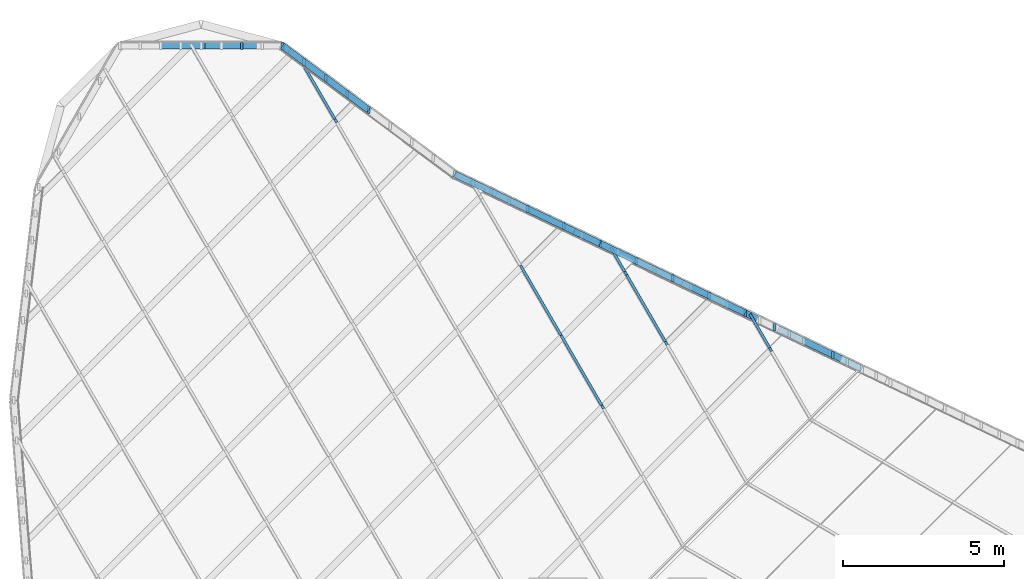
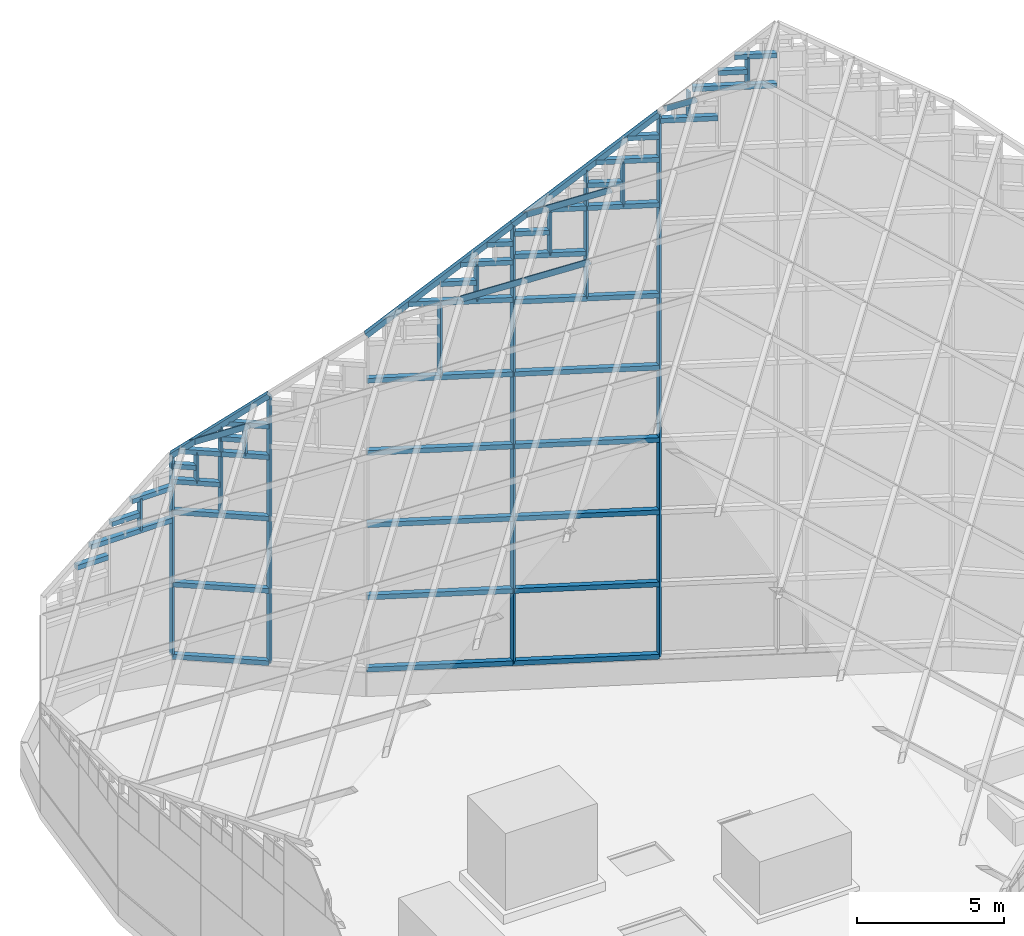
# One storey, part 9 of 29: 63 members, 1 element without a shape of its own.
"""IFC4 building model written with IfcOpenShell, lengths in metres."""

from ifc_helpers import new_model, si_unit, direction, frame, origin, origin_2d, place, context, subcontext, project, spatial, rectangle, extrude, material, material_profile, profile_set, type_object, element, aggregate, save


model = new_model("IFC4")

# Units and contexts
model_context = context("Model", 3, precision=1e-05, world=origin(), true_north=direction((0.0, 1.0)))
body_context = subcontext(model_context, "Body", "Model", "MODEL_VIEW")
ifc_project = project(units=[si_unit("LENGTHUNIT", "METRE"), si_unit("AREAUNIT", "SQUARE_METRE"), si_unit("VOLUMEUNIT", "CUBIC_METRE"), si_unit("PLANEANGLEUNIT", "RADIAN"), si_unit("MASSUNIT", "GRAM", prefix="KILO")], contexts=[model_context])

# Site, building, storey
site_placement = place(None, origin())
site = spatial("IfcSite", under=ifc_project, at=site_placement, CompositionType="ELEMENT")
building_placement = place(site_placement, origin())
building = spatial("IfcBuilding", under=site, at=building_placement, Name="Tanit Gate Tower", CompositionType="ELEMENT")
storey_placement = place(building_placement, frame((0.0, 0.0, 445.300048828125)))
storey = spatial("IfcBuildingStorey", under=building, at=storey_placement, Name="ROOF", CompositionType="ELEMENT", Elevation=445.300048828125)

# Curtain wall, members
ifc_material_1 = material(Name="Aluminium bronze anodised and glass", Category="aluminium")
curtain_wall_type = type_object("IfcCurtainWallType", Name="Curtain wall crown roof", PredefinedType="NOTDEFINED", material=ifc_material_1)
curtain_wall_placement = place(storey_placement, origin())
curtain_wall = element("IfcCurtainWall", 1, at=curtain_wall_placement, inside=storey, type_object=curtain_wall_type, Name="Crown lantern", PredefinedType="NOTDEFINED")
ifc_material_2 = material(Name="Aluminium bronze anodised", Category="aluminium")
ifc_material_profile_1 = material_profile(ifc_material_2, rectangle(XDim=0.080078125, YDim=0.219970703125, at=origin_2d()), Name="80x220 bronze rafter")
ifc_profile_set_1 = profile_set([ifc_material_profile_1], Name="Aluminium bronze anodised")
member_type_1 = type_object("IfcMemberType", Name="Mullion 80x220 crown roof", PredefinedType="MULLION", material=ifc_profile_set_1)
member_1_placement = place(storey_placement, frame((7.3046875, 12.65673828125, 1.199951171875), z_axis=(0.0, 0.0, 1.0), x_axis=(1.0, 0.0, 0.0)))
member_1 = element("IfcMember", 2, at=member_1_placement, type_object=member_type_1, Name="Lantern mullion 6", PredefinedType="MULLION", context=body_context, shape_type="SweptSolid", body=[
    extrude(rectangle(XDim=0.080078125, YDim=0.219970703125, at=origin_2d()), origin(), (0.0, 0.0, 1.0), 22.51953125),
])
member_2_placement = place(storey_placement, frame((2.80078125, 14.80859375, 1.199951171875), z_axis=(0.0, 0.0, 1.0), x_axis=(1.0, 0.0, 0.0)))
member_2 = element("IfcMember", 3, at=member_2_placement, type_object=member_type_1, Name="Lantern mullion 7", PredefinedType="MULLION", context=body_context, shape_type="SweptSolid", body=[
    extrude(rectangle(XDim=0.080078125, YDim=0.219970703125, at=origin_2d()), origin(), (0.0, 0.0, 1.0), 18.191162109375),
])
member_3_placement = place(storey_placement, frame((-4.37744140625, 18.9521484375, 1.199951171875), z_axis=(0.0, 0.0, 1.0), x_axis=(1.0, 0.0, 0.0)))
member_3 = element("IfcMember", 4, at=member_3_placement, type_object=member_type_1, Name="Lantern mullion 9", PredefinedType="MULLION", context=body_context, shape_type="SweptSolid", body=[
    extrude(rectangle(XDim=0.080078125, YDim=0.219970703125, at=origin_2d()), origin(), (0.0, 0.0, 1.0), 11.095947265625),
])
member_4_placement = place(storey_placement, frame((-7.052001953125, 20.944091796875, 1.199951171875), z_axis=(0.0, 0.0, 1.0), x_axis=(1.0, 0.0, 0.0)))
member_4 = element("IfcMember", 5, at=member_4_placement, type_object=member_type_1, Name="Lantern mullion 10", PredefinedType="MULLION", context=body_context, shape_type="SweptSolid", body=[
    extrude(rectangle(XDim=0.080078125, YDim=0.219970703125, at=origin_2d()), origin(), (0.0, 0.0, 1.0), 8.3291015625),
])
member_5_placement = place(storey_placement, frame((8.210205078125, 12.22412109375, 23.449951171875), z_axis=(0.0, 0.0, 1.0), x_axis=(1.0, 0.0, 0.0)))
member_5 = element("IfcMember", 6, at=member_5_placement, type_object=member_type_1, Name="Lantern clerestory bar 5.8.4", PredefinedType="MULLION", context=body_context, shape_type="SweptSolid", body=[
    extrude(rectangle(XDim=0.080078125, YDim=0.219970703125, at=origin_2d()), origin(), (0.0, 0.0, 1.0), 1.1396484375),
])
member_6_placement = place(storey_placement, frame((10.02099609375, 11.359130859375, 24.699951171875), z_axis=(0.0, 0.0, 1.0), x_axis=(1.0, 0.0, 0.0)))
member_6 = element("IfcMember", 7, at=member_6_placement, type_object=member_type_1, Name="Lantern clerestory bar 5.8.11", PredefinedType="MULLION", context=body_context, shape_type="SweptSolid", body=[
    extrude(rectangle(XDim=0.080078125, YDim=0.219970703125, at=origin_2d()), origin(), (0.0, 0.0, 1.0), 1.25),
])
member_7_placement = place(storey_placement, frame((5.052734375, 13.732666015625, 16.199951171875), z_axis=(0.0, 0.0, 1.0), x_axis=(1.0, 0.0, 0.0)))
member_7 = element("IfcMember", 8, at=member_7_placement, type_object=member_type_1, Name="Lantern clerestory bar 6.6.2", PredefinedType="MULLION", context=body_context, shape_type="SweptSolid", body=[
    extrude(rectangle(XDim=0.080078125, YDim=0.219970703125, at=origin_2d()), origin(), (0.0, 0.0, 1.0), 3.759765625),
])
member_8_placement = place(storey_placement, frame((3.9267578125, 14.2705078125, 18.079833984375), z_axis=(0.0, 0.0, 1.0), x_axis=(1.0, 0.0, 0.0)))
member_8 = element("IfcMember", 9, at=member_8_placement, type_object=member_type_1, Name="Lantern clerestory bar 6.6.4", PredefinedType="MULLION", context=body_context, shape_type="SweptSolid", body=[
    extrude(rectangle(XDim=0.080078125, YDim=0.219970703125, at=origin_2d()), origin(), (0.0, 0.0, 1.0), 1.8798828125),
])
member_9_placement = place(storey_placement, frame((5.052734375, 13.732666015625, 19.959716796875), z_axis=(0.0, 0.0, 1.0), x_axis=(1.0, 0.0, 0.0)))
member_9 = element("IfcMember", 10, at=member_9_placement, type_object=member_type_1, Name="Lantern clerestory bar 6.6.7", PredefinedType="MULLION", context=body_context, shape_type="SweptSolid", body=[
    extrude(rectangle(XDim=0.080078125, YDim=0.219970703125, at=origin_2d()), origin(), (0.0, 0.0, 1.0), 1.595458984375),
])
member_10_placement = place(storey_placement, frame((6.1787109375, 13.194580078125, 19.959716796875), z_axis=(0.0, 0.0, 1.0), x_axis=(1.0, 0.0, 0.0)))
member_10 = element("IfcMember", 11, at=member_10_placement, type_object=member_type_1, Name="Lantern clerestory bar 6.6.9", PredefinedType="MULLION", context=body_context, shape_type="SweptSolid", body=[
    extrude(rectangle(XDim=0.080078125, YDim=0.219970703125, at=origin_2d()), origin(), (0.0, 0.0, 1.0), 1.8798828125),
])
member_11_placement = place(storey_placement, frame((0.548828125, 15.88427734375, 13.199951171875), z_axis=(0.0, 0.0, 1.0), x_axis=(1.0, 0.0, 0.0)))
member_11 = element("IfcMember", 12, at=member_11_placement, type_object=member_type_1, Name="Lantern clerestory bar 7.5.2", PredefinedType="MULLION", context=body_context, shape_type="SweptSolid", body=[
    extrude(rectangle(XDim=0.080078125, YDim=0.219970703125, at=origin_2d()), origin(), (0.0, 0.0, 1.0), 3.095458984375),
])
member_12_placement = place(storey_placement, frame((1.6748046875, 15.346435546875, 16.29541015625), z_axis=(0.0, 0.0, 1.0), x_axis=(1.0, 0.0, 0.0)))
member_12 = element("IfcMember", 13, at=member_12_placement, type_object=member_type_1, Name="Lantern clerestory bar 7.5.11", PredefinedType="MULLION", context=body_context, shape_type="SweptSolid", body=[
    extrude(rectangle(XDim=0.080078125, YDim=0.219970703125, at=origin_2d()), origin(), (0.0, 0.0, 1.0), 1.5478515625),
])
member_13_placement = place(storey_placement, frame((-5.71484375, 19.947998046875, 7.199951171875), z_axis=(0.0, 0.0, 1.0), x_axis=(1.0, 0.0, 0.0)))
member_13 = element("IfcMember", 14, at=member_13_placement, type_object=member_type_1, Name="Lantern clerestory bar 9.3.2", PredefinedType="MULLION", context=body_context, shape_type="SweptSolid", body=[
    extrude(rectangle(XDim=0.080078125, YDim=0.219970703125, at=origin_2d()), origin(), (0.0, 0.0, 1.0), 2.5478515625),
])
member_14_placement = place(storey_placement, frame((-6.38330078125, 20.446044921875, 8.473876953125), z_axis=(0.0, 0.0, 1.0), x_axis=(1.0, 0.0, 0.0)))
member_14 = element("IfcMember", 15, at=member_14_placement, type_object=member_type_1, Name="Lantern clerestory bar 9.3.4", PredefinedType="MULLION", context=body_context, shape_type="SweptSolid", body=[
    extrude(rectangle(XDim=0.080078125, YDim=0.219970703125, at=origin_2d()), origin(), (0.0, 0.0, 1.0), 1.27392578125),
])
member_15_placement = place(storey_placement, frame((-5.71484375, 19.947998046875, 9.747802734375), z_axis=(0.0, 0.0, 1.0), x_axis=(1.0, 0.0, 0.0)))
member_15 = element("IfcMember", 16, at=member_15_placement, type_object=member_type_1, Name="Lantern clerestory bar 9.3.6", PredefinedType="MULLION", context=body_context, shape_type="SweptSolid", body=[
    extrude(rectangle(XDim=0.080078125, YDim=0.219970703125, at=origin_2d()), origin(), (0.0, 0.0, 1.0), 1.16455078125),
])
member_16_placement = place(storey_placement, frame((-5.046142578125, 19.4501953125, 9.747802734375), z_axis=(0.0, 0.0, 1.0), x_axis=(1.0, 0.0, 0.0)))
member_16 = element("IfcMember", 17, at=member_16_placement, type_object=member_type_1, Name="Lantern clerestory bar 9.3.8", PredefinedType="MULLION", context=body_context, shape_type="SweptSolid", body=[
    extrude(rectangle(XDim=0.080078125, YDim=0.219970703125, at=origin_2d()), origin(), (0.0, 0.0, 1.0), 1.274169921875),
])
member_17_placement = place(storey_placement, frame((-8.312255859375, 20.944580078125, 6.864501953125), z_axis=(0.0, 0.0, 1.0), x_axis=(1.0, 0.0, 0.0)))
member_17 = element("IfcMember", 18, at=member_17_placement, type_object=member_type_1, Name="Lantern clerestory bar 10.2.12", PredefinedType="MULLION", context=body_context, shape_type="SweptSolid", body=[
    extrude(rectangle(XDim=0.080078125, YDim=0.219970703125, at=origin_2d()), origin(), (0.0, 0.0, 1.0), 1.332275390625),
])
member_18_placement = place(storey_placement, frame((-5.396240234375, 18.619384765625, 11.54248046875), z_axis=(-0.420162090935, 0.723505344783, -0.547726056904), x_axis=(-0.864756654929, -0.50219112672, 0.0)))
member_18 = element("IfcMember", 19, at=member_18_placement, type_object=member_type_1, Name="Lantern rafter E10", PredefinedType="MULLION", context=body_context, shape_type="SweptSolid", body=[
    extrude(rectangle(XDim=0.080078125, YDim=0.219970703125, at=origin_2d()), origin(), (0.0, 0.0, 1.0), 2.658447265625),
])
member_19_placement = place(storey_placement, frame((2.880615234375, 9.7421875, 20.853271484375), z_axis=(-0.420055419348, 0.723501110698, -0.54781346049), x_axis=(-0.864810745962, -0.502097972181, 0.0)))
member_19 = element("IfcMember", 20, at=member_19_placement, type_object=member_type_1, Name="Lantern rafter E11", PredefinedType="MULLION", context=body_context, shape_type="SweptSolid", body=[
    extrude(rectangle(XDim=0.080078125, YDim=0.219970703125, at=origin_2d()), origin(), (0.0, 0.0, 1.0), 3.000244140625),
])
member_20_placement = place(storey_placement, frame((1.620361328125, 11.912841796875, 19.209716796875), z_axis=(-0.420165895971, 0.723469846055, -0.547770026299), x_axis=(-0.864743978712, -0.502212954116, 0.0)))
member_20 = element("IfcMember", 21, at=member_20_placement, type_object=member_type_1, Name="Lantern rafter E11", PredefinedType="MULLION", context=body_context, shape_type="SweptSolid", body=[
    extrude(rectangle(XDim=0.080078125, YDim=0.219970703125, at=origin_2d()), origin(), (0.0, 0.0, 1.0), 3.0),
])
member_21_placement = place(storey_placement, frame((4.855712890625, 11.717529296875, 21.947265625), z_axis=(-0.420080150726, 0.723462328546, -0.54784571381), x_axis=(-0.864786221347, -0.502140210865, 0.0)))
member_21 = element("IfcMember", 22, at=member_21_placement, type_object=member_type_1, Name="Lantern rafter E12", PredefinedType="MULLION", context=body_context, shape_type="SweptSolid", body=[
    extrude(rectangle(XDim=0.080078125, YDim=0.219970703125, at=origin_2d()), origin(), (0.0, 0.0, 1.0), 3.0),
])
member_22_placement = place(storey_placement, frame((3.595458984375, 13.887939453125, 20.3037109375), z_axis=(-0.420066123405, 0.723552097955, -0.547737905856), x_axis=(-0.864820554076, -0.502081078361, 0.0)))
member_22 = element("IfcMember", 23, at=member_22_placement, type_object=member_type_1, Name="Lantern rafter E12", PredefinedType="MULLION", context=body_context, shape_type="SweptSolid", body=[
    extrude(rectangle(XDim=0.080078125, YDim=0.219970703125, at=origin_2d()), origin(), (0.0, 0.0, 1.0), 1.034423828125),
])
member_23_placement = place(storey_placement, frame((8.09130859375, 11.522216796875, 24.6845703125), z_axis=(-0.420024937871, 0.723479078007, -0.547865928172), x_axis=(-0.864819927596, -0.502082157453, 0.0)))
member_23 = element("IfcMember", 24, at=member_23_placement, type_object=member_type_1, Name="Lantern rafter E13", PredefinedType="MULLION", context=body_context, shape_type="SweptSolid", body=[
    extrude(rectangle(XDim=0.080078125, YDim=0.219970703125, at=origin_2d()), origin(), (0.0, 0.0, 1.0), 1.451416015625),
])
ifc_material_3 = material(Name="Aluminium bronze anodised", Category="aluminium")
ifc_material_profile_2 = material_profile(ifc_material_3, rectangle(XDim=0.199951171875, YDim=0.199951171875, at=origin_2d()), Name="200x200 bronze transom")
ifc_profile_set_2 = profile_set([ifc_material_profile_2], Name="Aluminium bronze anodised")
member_type_2 = type_object("IfcMemberType", Name="Transom 200x200 crown roof", PredefinedType="USERDEFINED", material=ifc_profile_set_2)
member_24_placement = place(storey_placement, frame((7.3046875, 12.65673828125, 1.199951171875), z_axis=(-0.902304661425, 0.431098942205, 0.0), x_axis=(-0.431098942205, -0.902304661425, 0.0)))
member_24 = element("IfcMember", 25, at=member_24_placement, type_object=member_type_2, Name="Lantern eave beam 6", ObjectType="TRANSOM", PredefinedType="USERDEFINED", context=body_context, shape_type="SweptSolid", body=[
    extrude(rectangle(XDim=0.199951171875, YDim=0.199951171875, at=origin_2d()), origin(), (0.0, 0.0, 1.0), 4.991455078125),
])
member_25_placement = place(storey_placement, frame((7.3046875, 12.65673828125, 23.719482421875), z_axis=(-0.68170277909, 0.325700796558, -0.655133812364), x_axis=(-0.431098942205, -0.902304661425, 0.0)))
member_25 = element("IfcMember", 26, at=member_25_placement, type_object=member_type_2, Name="Lantern edge beam 6", ObjectType="TRANSOM", PredefinedType="USERDEFINED", context=body_context, shape_type="SweptSolid", body=[
    extrude(rectangle(XDim=0.199951171875, YDim=0.199951171875, at=origin_2d()), origin(), (0.0, 0.0, 1.0), 6.60693359375),
])
member_26_placement = place(storey_placement, frame((2.80078125, 14.80859375, 1.199951171875), z_axis=(-0.90232368636, 0.431059120115, 0.0), x_axis=(-0.431059120115, -0.90232368636, 0.0)))
member_26 = element("IfcMember", 27, at=member_26_placement, type_object=member_type_2, Name="Lantern eave beam 7", ObjectType="TRANSOM", PredefinedType="USERDEFINED", context=body_context, shape_type="SweptSolid", body=[
    extrude(rectangle(XDim=0.199951171875, YDim=0.199951171875, at=origin_2d()), origin(), (0.0, 0.0, 1.0), 4.991455078125),
])
member_27_placement = place(storey_placement, frame((2.80078125, 14.80859375, 19.39111328125), z_axis=(-0.681710983415, 0.325667763272, -0.65514169693), x_axis=(-0.431059120115, -0.90232368636, 0.0)))
member_27 = element("IfcMember", 28, at=member_27_placement, type_object=member_type_2, Name="Lantern edge beam 7", ObjectType="TRANSOM", PredefinedType="USERDEFINED", context=body_context, shape_type="SweptSolid", body=[
    extrude(rectangle(XDim=0.199951171875, YDim=0.199951171875, at=origin_2d()), origin(), (0.0, 0.0, 1.0), 6.606689453125),
])
member_28_placement = place(storey_placement, frame((-4.37744140625, 18.9521484375, 1.199951171875), z_axis=(-0.802007293076, 0.597314240457, 0.0), x_axis=(-0.597314240457, -0.802007293076, 0.0)))
member_28 = element("IfcMember", 29, at=member_28_placement, type_object=member_type_2, Name="Lantern eave beam 9", ObjectType="TRANSOM", PredefinedType="USERDEFINED", context=body_context, shape_type="SweptSolid", body=[
    extrude(rectangle(XDim=0.199951171875, YDim=0.199951171875, at=origin_2d()), origin(), (0.0, 0.0, 1.0), 3.334716796875),
])
member_29_placement = place(storey_placement, frame((-4.37744140625, 18.9521484375, 12.2958984375), z_axis=(-0.617226498205, 0.459694294738, -0.638523770348), x_axis=(-0.597314240457, -0.802007293076, 0.0)))
member_29 = element("IfcMember", 30, at=member_29_placement, type_object=member_type_2, Name="Lantern edge beam 9", ObjectType="TRANSOM", PredefinedType="USERDEFINED", context=body_context, shape_type="SweptSolid", body=[
    extrude(rectangle(XDim=0.199951171875, YDim=0.199951171875, at=origin_2d()), origin(), (0.0, 0.0, 1.0), 4.333251953125),
])
member_30_placement = place(storey_placement, frame((10.926513671875, 10.926513671875, 24.699951171875), z_axis=(-0.902343338742, 0.431017979936, 0.0), x_axis=(-0.431017979936, -0.902343338742, 0.0)))
member_30 = element("IfcMember", 31, at=member_30_placement, type_object=member_type_2, Name="Lantern clerestory bar 5.8.1", ObjectType="TRANSOM", PredefinedType="USERDEFINED", context=body_context, shape_type="SweptSolid", body=[
    extrude(rectangle(XDim=0.199951171875, YDim=0.199951171875, at=origin_2d()), origin(), (0.0, 0.0, 1.0), 2.883056640625),
])
member_31_placement = place(storey_placement, frame((9.115478515625, 11.791748046875, 23.449951171875), z_axis=(-0.902335887773, 0.431033578317, 0.0), x_axis=(-0.431033578317, -0.902335887773, 0.0)))
member_31 = element("IfcMember", 32, at=member_31_placement, type_object=member_type_2, Name="Lantern clerestory bar 5.8.3", ObjectType="TRANSOM", PredefinedType="USERDEFINED", context=body_context, shape_type="SweptSolid", body=[
    extrude(rectangle(XDim=0.199951171875, YDim=0.199951171875, at=origin_2d()), origin(), (0.0, 0.0, 1.0), 2.0068359375),
])
member_32_placement = place(storey_placement, frame((10.926513671875, 10.926513671875, 25.949951171875), z_axis=(-0.902343338742, 0.431017979936, 0.0), x_axis=(-0.431017979936, -0.902343338742, 0.0)))
member_32 = element("IfcMember", 33, at=member_32_placement, type_object=member_type_2, Name="Lantern clerestory bar 5.8.10", ObjectType="TRANSOM", PredefinedType="USERDEFINED", context=body_context, shape_type="SweptSolid", body=[
    extrude(rectangle(XDim=0.199951171875, YDim=0.199951171875, at=origin_2d()), origin(), (0.0, 0.0, 1.0), 1.441650390625),
])
member_33_placement = place(storey_placement, frame((10.02099609375, 11.359130859375, 25.324951171875), z_axis=(-0.902311175867, 0.431085306993, 0.0), x_axis=(-0.431085306993, -0.902311175867, 0.0)))
member_33 = element("IfcMember", 34, at=member_33_placement, type_object=member_type_2, Name="Lantern clerestory bar 5.8.12", ObjectType="TRANSOM", PredefinedType="USERDEFINED", context=body_context, shape_type="SweptSolid", body=[
    extrude(rectangle(XDim=0.199951171875, YDim=0.199951171875, at=origin_2d()), origin(), (0.0, 0.0, 1.0), 1.003662109375),
])
member_34_placement = place(storey_placement, frame((7.3046875, 12.65673828125, 4.199951171875), z_axis=(-0.902304661425, 0.431098942205, 0.0), x_axis=(-0.431098942205, -0.902304661425, 0.0)))
member_34 = element("IfcMember", 35, at=member_34_placement, type_object=member_type_2, Name="Lantern clerestory transom 6.1", ObjectType="TRANSOM", PredefinedType="USERDEFINED", context=body_context, shape_type="SweptSolid", body=[
    extrude(rectangle(XDim=0.199951171875, YDim=0.199951171875, at=origin_2d()), origin(), (0.0, 0.0, 1.0), 4.991455078125),
])
member_35_placement = place(storey_placement, frame((7.3046875, 12.65673828125, 7.199951171875), z_axis=(-0.902304661425, 0.431098942205, 0.0), x_axis=(-0.431098942205, -0.902304661425, 0.0)))
member_35 = element("IfcMember", 36, at=member_35_placement, type_object=member_type_2, Name="Lantern clerestory transom 6.2", ObjectType="TRANSOM", PredefinedType="USERDEFINED", context=body_context, shape_type="SweptSolid", body=[
    extrude(rectangle(XDim=0.199951171875, YDim=0.199951171875, at=origin_2d()), origin(), (0.0, 0.0, 1.0), 4.991455078125),
])
member_36_placement = place(storey_placement, frame((7.3046875, 12.65673828125, 10.199951171875), z_axis=(-0.902304661425, 0.431098942205, 0.0), x_axis=(-0.431098942205, -0.902304661425, 0.0)))
member_36 = element("IfcMember", 37, at=member_36_placement, type_object=member_type_2, Name="Lantern clerestory transom 6.3", ObjectType="TRANSOM", PredefinedType="USERDEFINED", context=body_context, shape_type="SweptSolid", body=[
    extrude(rectangle(XDim=0.199951171875, YDim=0.199951171875, at=origin_2d()), origin(), (0.0, 0.0, 1.0), 4.991455078125),
])
member_37_placement = place(storey_placement, frame((7.3046875, 12.65673828125, 13.199951171875), z_axis=(-0.902304661425, 0.431098942205, 0.0), x_axis=(-0.431098942205, -0.902304661425, 0.0)))
member_37 = element("IfcMember", 38, at=member_37_placement, type_object=member_type_2, Name="Lantern clerestory transom 6.4", ObjectType="TRANSOM", PredefinedType="USERDEFINED", context=body_context, shape_type="SweptSolid", body=[
    extrude(rectangle(XDim=0.199951171875, YDim=0.199951171875, at=origin_2d()), origin(), (0.0, 0.0, 1.0), 4.991455078125),
])
member_38_placement = place(storey_placement, frame((7.3046875, 12.65673828125, 16.199951171875), z_axis=(-0.902304661425, 0.431098942205, 0.0), x_axis=(-0.431098942205, -0.902304661425, 0.0)))
member_38 = element("IfcMember", 39, at=member_38_placement, type_object=member_type_2, Name="Lantern clerestory transom 6.5", ObjectType="TRANSOM", PredefinedType="USERDEFINED", context=body_context, shape_type="SweptSolid", body=[
    extrude(rectangle(XDim=0.199951171875, YDim=0.199951171875, at=origin_2d()), origin(), (0.0, 0.0, 1.0), 4.991455078125),
])
member_39_placement = place(storey_placement, frame((7.3046875, 12.65673828125, 19.959716796875), z_axis=(-0.902312333248, 0.431082884452, 0.0), x_axis=(-0.431082884452, -0.902312333248, 0.0)))
member_39 = element("IfcMember", 40, at=member_39_placement, type_object=member_type_2, Name="Lantern clerestory bar 6.6.1", ObjectType="TRANSOM", PredefinedType="USERDEFINED", context=body_context, shape_type="SweptSolid", body=[
    extrude(rectangle(XDim=0.199951171875, YDim=0.199951171875, at=origin_2d()), origin(), (0.0, 0.0, 1.0), 4.3359375),
])
member_40_placement = place(storey_placement, frame((5.052734375, 13.732666015625, 18.079833984375), z_axis=(-0.902304661425, 0.431098942205, 0.0), x_axis=(-0.431098942205, -0.902304661425, 0.0)))
member_40 = element("IfcMember", 41, at=member_40_placement, type_object=member_type_2, Name="Lantern clerestory bar 6.6.3", ObjectType="TRANSOM", PredefinedType="USERDEFINED", context=body_context, shape_type="SweptSolid", body=[
    extrude(rectangle(XDim=0.199951171875, YDim=0.199951171875, at=origin_2d()), origin(), (0.0, 0.0, 1.0), 2.495849609375),
])
member_41_placement = place(storey_placement, frame((3.9267578125, 14.2705078125, 19.019775390625), z_axis=(-0.902266608691, 0.431178578828, 0.0), x_axis=(-0.431178578828, -0.902266608691, 0.0)))
member_41 = element("IfcMember", 42, at=member_41_placement, type_object=member_type_2, Name="Lantern clerestory bar 6.6.5", ObjectType="TRANSOM", PredefinedType="USERDEFINED", context=body_context, shape_type="SweptSolid", body=[
    extrude(rectangle(XDim=0.199951171875, YDim=0.199951171875, at=origin_2d()), origin(), (0.0, 0.0, 1.0), 1.248046875),
])
member_42_placement = place(storey_placement, frame((7.3046875, 12.65673828125, 21.839599609375), z_axis=(-0.902301868868, 0.431104787073, 0.0), x_axis=(-0.431104787073, -0.902301868868, 0.0)))
member_42 = element("IfcMember", 43, at=member_42_placement, type_object=member_type_2, Name="Lantern clerestory bar 6.6.8", ObjectType="TRANSOM", PredefinedType="USERDEFINED", context=body_context, shape_type="SweptSolid", body=[
    extrude(rectangle(XDim=0.199951171875, YDim=0.199951171875, at=origin_2d()), origin(), (0.0, 0.0, 1.0), 2.16796875),
])
member_43_placement = place(storey_placement, frame((6.1787109375, 13.194580078125, 20.899658203125), z_axis=(-0.902266608691, 0.431178578828, 0.0), x_axis=(-0.431178578828, -0.902266608691, 0.0)))
member_43 = element("IfcMember", 44, at=member_43_placement, type_object=member_type_2, Name="Lantern clerestory bar 6.6.10", ObjectType="TRANSOM", PredefinedType="USERDEFINED", context=body_context, shape_type="SweptSolid", body=[
    extrude(rectangle(XDim=0.199951171875, YDim=0.199951171875, at=origin_2d()), origin(), (0.0, 0.0, 1.0), 1.248046875),
])
member_44_placement = place(storey_placement, frame((7.3046875, 12.65673828125, 22.779541015625), z_axis=(-0.902301868868, 0.431104787073, 0.0), x_axis=(-0.431104787073, -0.902301868868, 0.0)))
member_44 = element("IfcMember", 45, at=member_44_placement, type_object=member_type_2, Name="Lantern clerestory bar 6.6.14", ObjectType="TRANSOM", PredefinedType="USERDEFINED", context=body_context, shape_type="SweptSolid", body=[
    extrude(rectangle(XDim=0.199951171875, YDim=0.199951171875, at=origin_2d()), origin(), (0.0, 0.0, 1.0), 1.083984375),
])
member_45_placement = place(storey_placement, frame((2.80078125, 14.80859375, 4.199951171875), z_axis=(-0.90232368636, 0.431059120115, 0.0), x_axis=(-0.431059120115, -0.90232368636, 0.0)))
member_45 = element("IfcMember", 46, at=member_45_placement, type_object=member_type_2, Name="Lantern clerestory transom 7.1", ObjectType="TRANSOM", PredefinedType="USERDEFINED", context=body_context, shape_type="SweptSolid", body=[
    extrude(rectangle(XDim=0.199951171875, YDim=0.199951171875, at=origin_2d()), origin(), (0.0, 0.0, 1.0), 4.991455078125),
])
member_46_placement = place(storey_placement, frame((2.80078125, 14.80859375, 7.199951171875), z_axis=(-0.90232368636, 0.431059120115, 0.0), x_axis=(-0.431059120115, -0.90232368636, 0.0)))
member_46 = element("IfcMember", 47, at=member_46_placement, type_object=member_type_2, Name="Lantern clerestory transom 7.2", ObjectType="TRANSOM", PredefinedType="USERDEFINED", context=body_context, shape_type="SweptSolid", body=[
    extrude(rectangle(XDim=0.199951171875, YDim=0.199951171875, at=origin_2d()), origin(), (0.0, 0.0, 1.0), 4.991455078125),
])
member_47_placement = place(storey_placement, frame((2.80078125, 14.80859375, 10.199951171875), z_axis=(-0.90232368636, 0.431059120115, 0.0), x_axis=(-0.431059120115, -0.90232368636, 0.0)))
member_47 = element("IfcMember", 48, at=member_47_placement, type_object=member_type_2, Name="Lantern clerestory transom 7.3", ObjectType="TRANSOM", PredefinedType="USERDEFINED", context=body_context, shape_type="SweptSolid", body=[
    extrude(rectangle(XDim=0.199951171875, YDim=0.199951171875, at=origin_2d()), origin(), (0.0, 0.0, 1.0), 4.991455078125),
])
member_48_placement = place(storey_placement, frame((2.80078125, 14.80859375, 13.199951171875), z_axis=(-0.90232368636, 0.431059120115, 0.0), x_axis=(-0.431059120115, -0.90232368636, 0.0)))
member_48 = element("IfcMember", 49, at=member_48_placement, type_object=member_type_2, Name="Lantern clerestory transom 7.4", ObjectType="TRANSOM", PredefinedType="USERDEFINED", context=body_context, shape_type="SweptSolid", body=[
    extrude(rectangle(XDim=0.199951171875, YDim=0.199951171875, at=origin_2d()), origin(), (0.0, 0.0, 1.0), 4.991455078125),
])
member_49_placement = place(storey_placement, frame((2.80078125, 14.80859375, 16.29541015625), z_axis=(-0.902325096537, 0.431056168218, 0.0), x_axis=(-0.431056168218, -0.902325096537, 0.0)))
member_49 = element("IfcMember", 50, at=member_49_placement, type_object=member_type_2, Name="Lantern clerestory bar 7.5.1", ObjectType="TRANSOM", PredefinedType="USERDEFINED", context=body_context, shape_type="SweptSolid", body=[
    extrude(rectangle(XDim=0.199951171875, YDim=0.199951171875, at=origin_2d()), origin(), (0.0, 0.0, 1.0), 3.56982421875),
])
member_50_placement = place(storey_placement, frame((2.80078125, 14.80859375, 17.84326171875), z_axis=(-0.902351695715, 0.431000484038, 0.0), x_axis=(-0.431000484038, -0.902351695715, 0.0)))
member_50 = element("IfcMember", 51, at=member_50_placement, type_object=member_type_2, Name="Lantern clerestory bar 7.5.10", ObjectType="TRANSOM", PredefinedType="USERDEFINED", context=body_context, shape_type="SweptSolid", body=[
    extrude(rectangle(XDim=0.199951171875, YDim=0.199951171875, at=origin_2d()), origin(), (0.0, 0.0, 1.0), 1.784912109375),
])
member_51_placement = place(storey_placement, frame((1.6748046875, 15.346435546875, 17.0693359375), z_axis=(-0.902342710339, 0.431019295506, 0.0), x_axis=(-0.431019295506, -0.902342710339, 0.0)))
member_51 = element("IfcMember", 52, at=member_51_placement, type_object=member_type_2, Name="Lantern clerestory bar 7.5.12", ObjectType="TRANSOM", PredefinedType="USERDEFINED", context=body_context, shape_type="SweptSolid", body=[
    extrude(rectangle(XDim=0.199951171875, YDim=0.199951171875, at=origin_2d()), origin(), (0.0, 0.0, 1.0), 1.247802734375),
])
member_52_placement = place(storey_placement, frame((2.80078125, 14.80859375, 18.6171875), z_axis=(-0.902430280969, 0.43083591771, 0.0), x_axis=(-0.43083591771, -0.902430280969, 0.0)))
member_52 = element("IfcMember", 53, at=member_52_placement, type_object=member_type_2, Name="Lantern clerestory bar 7.5.14", ObjectType="TRANSOM", PredefinedType="USERDEFINED", context=body_context, shape_type="SweptSolid", body=[
    extrude(rectangle(XDim=0.199951171875, YDim=0.199951171875, at=origin_2d()), origin(), (0.0, 0.0, 1.0), 0.892578125),
])
member_53_placement = place(storey_placement, frame((-4.37744140625, 18.9521484375, 4.199951171875), z_axis=(-0.802007293076, 0.597314240457, 0.0), x_axis=(-0.597314240457, -0.802007293076, 0.0)))
member_53 = element("IfcMember", 54, at=member_53_placement, type_object=member_type_2, Name="Lantern clerestory transom 9.1", ObjectType="TRANSOM", PredefinedType="USERDEFINED", context=body_context, shape_type="SweptSolid", body=[
    extrude(rectangle(XDim=0.199951171875, YDim=0.199951171875, at=origin_2d()), origin(), (0.0, 0.0, 1.0), 3.334716796875),
])
member_54_placement = place(storey_placement, frame((-4.37744140625, 18.9521484375, 7.199951171875), z_axis=(-0.802007293076, 0.597314240457, 0.0), x_axis=(-0.597314240457, -0.802007293076, 0.0)))
member_54 = element("IfcMember", 55, at=member_54_placement, type_object=member_type_2, Name="Lantern clerestory transom 9.2", ObjectType="TRANSOM", PredefinedType="USERDEFINED", context=body_context, shape_type="SweptSolid", body=[
    extrude(rectangle(XDim=0.199951171875, YDim=0.199951171875, at=origin_2d()), origin(), (0.0, 0.0, 1.0), 3.334716796875),
])
member_55_placement = place(storey_placement, frame((-4.37744140625, 18.9521484375, 9.747802734375), z_axis=(-0.802017990276, 0.597299877175, 0.0), x_axis=(-0.597299877175, -0.802017990276, 0.0)))
member_55 = element("IfcMember", 56, at=member_55_placement, type_object=member_type_2, Name="Lantern clerestory bar 9.3.1", ObjectType="TRANSOM", PredefinedType="USERDEFINED", context=body_context, shape_type="SweptSolid", body=[
    extrude(rectangle(XDim=0.199951171875, YDim=0.199951171875, at=origin_2d()), origin(), (0.0, 0.0, 1.0), 3.07080078125),
])
member_56_placement = place(storey_placement, frame((-5.71484375, 19.947998046875, 8.473876953125), z_axis=(-0.801946097124, 0.597396398807, 0.0), x_axis=(-0.597396398807, -0.801946097124, 0.0)))
member_56 = element("IfcMember", 57, at=member_56_placement, type_object=member_type_2, Name="Lantern clerestory bar 9.3.3", ObjectType="TRANSOM", PredefinedType="USERDEFINED", context=body_context, shape_type="SweptSolid", body=[
    extrude(rectangle(XDim=0.199951171875, YDim=0.199951171875, at=origin_2d()), origin(), (0.0, 0.0, 1.0), 1.66748046875),
])
member_57_placement = place(storey_placement, frame((-6.38330078125, 20.446044921875, 9.11083984375), z_axis=(-0.801998342896, 0.597326257578, 0.0), x_axis=(-0.597326257578, -0.801998342896, 0.0)))
member_57 = element("IfcMember", 58, at=member_57_placement, type_object=member_type_2, Name="Lantern clerestory bar 9.3.5", ObjectType="TRANSOM", PredefinedType="USERDEFINED", context=body_context, shape_type="SweptSolid", body=[
    extrude(rectangle(XDim=0.199951171875, YDim=0.199951171875, at=origin_2d()), origin(), (0.0, 0.0, 1.0), 0.833740234375),
])
member_58_placement = place(storey_placement, frame((-4.37744140625, 18.9521484375, 11.02197265625), z_axis=(-0.801979905313, 0.597351011947, 0.0), x_axis=(-0.597351011947, -0.801979905313, 0.0)))
member_58 = element("IfcMember", 59, at=member_58_placement, type_object=member_type_2, Name="Lantern clerestory bar 9.3.7", ObjectType="TRANSOM", PredefinedType="USERDEFINED", context=body_context, shape_type="SweptSolid", body=[
    extrude(rectangle(XDim=0.199951171875, YDim=0.199951171875, at=origin_2d()), origin(), (0.0, 0.0, 1.0), 1.535400390625),
])
member_59_placement = place(storey_placement, frame((-5.046142578125, 19.4501953125, 10.384765625), z_axis=(-0.802138615864, 0.597137874314, 0.0), x_axis=(-0.597137874314, -0.802138615864, 0.0)))
member_59 = element("IfcMember", 60, at=member_59_placement, type_object=member_type_2, Name="Lantern clerestory bar 9.3.9", ObjectType="TRANSOM", PredefinedType="USERDEFINED", context=body_context, shape_type="SweptSolid", body=[
    extrude(rectangle(XDim=0.199951171875, YDim=0.199951171875, at=origin_2d()), origin(), (0.0, 0.0, 1.0), 0.833740234375),
])
member_60_placement = place(storey_placement, frame((-7.052001953125, 20.944091796875, 6.864501953125), z_axis=(-0.999999896018, 0.000456030963, 0.0), x_axis=(-0.000456030963, -0.999999896018, 0.0)))
member_60 = element("IfcMember", 61, at=member_60_placement, type_object=member_type_2, Name="Lantern clerestory bar 10.2.1", ObjectType="TRANSOM", PredefinedType="USERDEFINED", context=body_context, shape_type="SweptSolid", body=[
    extrude(rectangle(XDim=0.199951171875, YDim=0.199951171875, at=origin_2d()), origin(), (0.0, 0.0, 1.0), 3.212158203125),
])
member_61_placement = place(storey_placement, frame((-9.57275390625, 20.9453125, 6.1982421875), z_axis=(-0.999999924943, 0.000387446697, 0.0), x_axis=(-0.000387446697, -0.999999924943, 0.0)))
member_61 = element("IfcMember", 62, at=member_61_placement, type_object=member_type_2, Name="Lantern clerestory bar 10.2.8", ObjectType="TRANSOM", PredefinedType="USERDEFINED", context=body_context, shape_type="SweptSolid", body=[
    extrude(rectangle(XDim=0.199951171875, YDim=0.199951171875, at=origin_2d()), origin(), (0.0, 0.0, 1.0), 1.26025390625),
])
member_62_placement = place(storey_placement, frame((-7.052001953125, 20.944091796875, 8.19677734375), z_axis=(-0.999999896002, 0.000456065626, 0.0), x_axis=(-0.000456065626, -0.999999896002, 0.0)))
member_62 = element("IfcMember", 63, at=member_62_placement, type_object=member_type_2, Name="Lantern clerestory bar 10.2.11", ObjectType="TRANSOM", PredefinedType="USERDEFINED", context=body_context, shape_type="SweptSolid", body=[
    extrude(rectangle(XDim=0.199951171875, YDim=0.199951171875, at=origin_2d()), origin(), (0.0, 0.0, 1.0), 1.60595703125),
])
member_63_placement = place(storey_placement, frame((-8.312255859375, 20.944580078125, 7.530517578125), z_axis=(-0.999999909654, 0.000425079664, 0.0), x_axis=(-0.000425079664, -0.999999909654, 0.0)))
member_63 = element("IfcMember", 64, at=member_63_placement, type_object=member_type_2, Name="Lantern clerestory bar 10.2.13", ObjectType="TRANSOM", PredefinedType="USERDEFINED", context=body_context, shape_type="SweptSolid", body=[
    extrude(rectangle(XDim=0.199951171875, YDim=0.199951171875, at=origin_2d()), origin(), (0.0, 0.0, 1.0), 1.148681640625),
])
aggregate(curtain_wall, [member_1, member_24, member_25, member_2, member_26, member_27, member_3, member_28, member_29, member_4, member_30, member_31, member_5, member_32, member_6, member_33, member_34, member_35, member_36, member_37, member_38, member_39, member_7, member_40, member_8, member_41, member_9, member_42, member_10, member_43, member_44, member_45, member_46, member_47, member_48, member_49, member_11, member_50, member_12, member_51, member_52, member_53, member_54, member_55, member_13, member_56, member_14, member_57, member_15, member_58, member_16, member_59, member_60, member_61, member_62, member_17, member_63, member_18, member_19, member_20, member_21, member_22, member_23])

save(model, "model.ifc")
